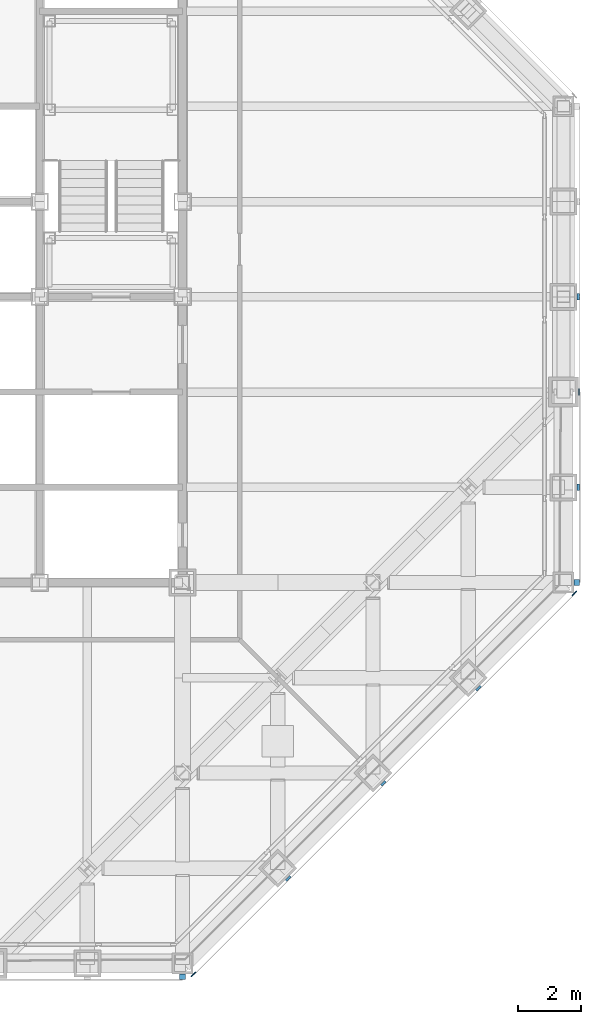
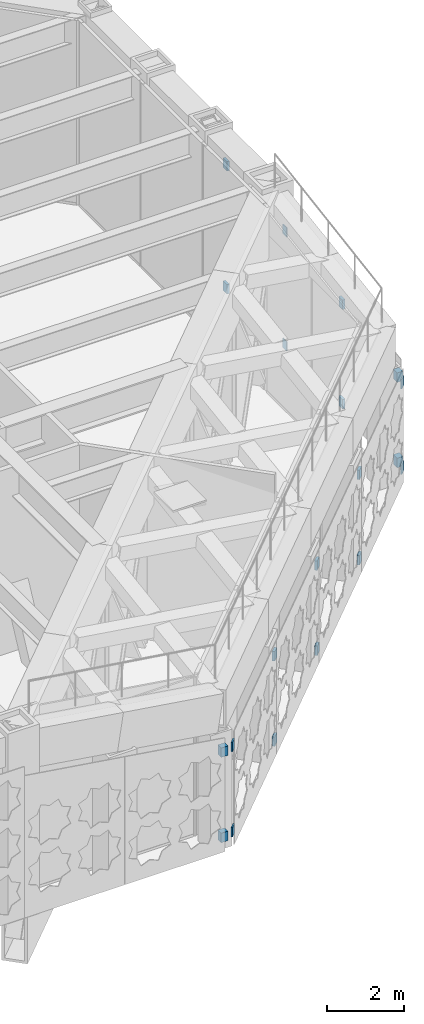
# One storey, part 16 of 29: 20 discrete accessories.
"""IFC4 building model written with IfcOpenShell, lengths in metres."""

import ifcopenshell
import ifcopenshell.guid

model = None  # the IFC model being written
_history = None  # IfcOwnerHistory: only IFC2X3 demands one
_inside = {}  # id of a spatial element -> (the spatial element, [elements in it])
_under = {}  # id of a project, library or spatial element -> (it, [spatial elements below it])
_declared = {}  # id of a project -> (the project, [libraries it declares])
_typed = {}  # id of a type object -> (the type object, [elements of that type])
_made_of = {}  # id of a material, layer set ... -> (it, [elements and type objects made of it])


def new_model(schema):
    """Start an empty IFC model of exactly this schema.

    Asked for "IFC4X3", IfcOpenShell would pick the latest addendum, in which some entities
    have other attributes; the version numbers below select the first issue.
    IFC2X3 requires an IfcOwnerHistory on every rooted entity: one is made here for all.
    """
    global model, _history
    if schema == "IFC4X3":
        model = ifcopenshell.file(schema_version=(4, 3, 0, 0))
    else:
        model = ifcopenshell.file(schema=schema)
    _inside.clear()
    _under.clear()
    _declared.clear()
    _typed.clear()
    _made_of.clear()
    _history = None
    if model.schema == "IFC2X3":
        org = make("IfcOrganization", Name="unknown")
        user = make(
            "IfcPersonAndOrganization",
            ThePerson=make("IfcPerson", FamilyName="unknown"),
            TheOrganization=org,
        )
        app = make(
            "IfcApplication",
            ApplicationDeveloper=org,
            Version="unknown",
            ApplicationFullName="unknown",
            ApplicationIdentifier="unknown",
        )
        _history = make(
            "IfcOwnerHistory",
            OwningUser=user,
            OwningApplication=app,
            ChangeAction="ADDED",
            CreationDate=0,
        )
    return model


def make(cls, **values):
    """One entity of the class cls with the attributes given. An attribute that is None is left unset."""
    return model.create_entity(
        cls, **{name: value for name, value in values.items() if value is not None}
    )


def rooted(cls, **values):
    """An entity with a GlobalId (a new one), such as an element, a storey or a relation."""
    return make(cls, GlobalId=ifcopenshell.guid.new(), OwnerHistory=_history, **values)


def si_unit(unit_type, name, prefix=None):
    """IfcSIUnit, for example si_unit("LENGTHUNIT", "METRE", prefix="MILLI")."""
    return make("IfcSIUnit", UnitType=unit_type, Prefix=prefix, Name=name)


def assignment(units):
    """IfcUnitAssignment: the units of a project."""
    return None if units is None else make("IfcUnitAssignment", Units=units)


def point(xyz):
    """IfcCartesianPoint."""
    return None if xyz is None else make("IfcCartesianPoint", Coordinates=xyz)


def direction(xyz):
    """IfcDirection."""
    return None if xyz is None else make("IfcDirection", DirectionRatios=xyz)


def frame(location, z_axis=None, x_axis=None):
    """IfcAxis2Placement3D, a coordinate frame: its origin and axes. An axis left out is left unset."""
    return make(
        "IfcAxis2Placement3D",
        Location=point(location),
        Axis=direction(z_axis),
        RefDirection=direction(x_axis),
    )


def frame_2d(location, x_axis=None):
    """IfcAxis2Placement2D, a coordinate frame in the plane: its origin and x axis."""
    return make(
        "IfcAxis2Placement2D", Location=point(location), RefDirection=direction(x_axis)
    )


def origin():
    """The frame at (0, 0, 0) with its axes left unset."""
    return frame((0.0, 0.0, 0.0))


def origin_2d():
    """The frame at (0, 0) in the plane with its x axis left unset."""
    return frame_2d((0.0, 0.0))


def place(relative_to, where):
    """IfcLocalPlacement: puts the frame where relative to a parent placement (None: the world)."""
    return make(
        "IfcLocalPlacement", PlacementRelTo=relative_to, RelativePlacement=where
    )


def context(
    kind, dimensions, precision=None, world=None, true_north=None, identifier=None
):
    """IfcGeometricRepresentationContext, for example the 3D "Model" context."""
    return make(
        "IfcGeometricRepresentationContext",
        ContextIdentifier=identifier,
        ContextType=kind,
        CoordinateSpaceDimension=dimensions,
        Precision=precision,
        WorldCoordinateSystem=world,
        TrueNorth=true_north,
    )


def subcontext(parent, identifier, kind, view, scale=None):
    """IfcGeometricRepresentationSubContext, for example "Body" below "Model"."""
    return make(
        "IfcGeometricRepresentationSubContext",
        ContextIdentifier=identifier,
        ContextType=kind,
        ParentContext=parent,
        TargetScale=scale,
        TargetView=view,
    )


def project(units=None, contexts=None):
    """IfcProject with its units and contexts."""
    return rooted(
        "IfcProject",
        Name="project",
        RepresentationContexts=contexts,
        UnitsInContext=assignment(units),
    )


def spatial(cls, under=None, at=None, **own):
    """A site, building, storey or space (cls), placed at a placement, below another one or the project."""
    s = rooted(cls, ObjectPlacement=at, **own)
    if under is not None:
        _under.setdefault(under.id(), (under, []))[1].append(s)
    return s


def profile(cls, at=None, kind="AREA", **sizes):
    """A parametric profile (cls). Its sizes go by their IFC names, for example OverallWidth=200.0."""
    return make(cls, ProfileType=kind, Position=at, **sizes)


def rectangle(**sizes):
    """IfcRectangleProfileDef."""
    return profile("IfcRectangleProfileDef", **sizes)


def extrude(swept, where, along, depth):
    """IfcExtrudedAreaSolid: the profile swept, set in the frame where, extruded along a direction by depth."""
    return make(
        "IfcExtrudedAreaSolid",
        SweptArea=swept,
        Position=where,
        ExtrudedDirection=direction(along),
        Depth=depth,
    )


def shape(context_of_items, identifier, shape_type, items):
    """IfcShapeRepresentation: the items that make up one representation, for example the "Body"."""
    return make(
        "IfcShapeRepresentation",
        ContextOfItems=context_of_items,
        RepresentationIdentifier=identifier,
        RepresentationType=shape_type,
        Items=items,
    )


def material(Name=None, Category=None):
    """IfcMaterial."""
    return make("IfcMaterial", Name=Name, Category=Category)


def made_of(thing, what):
    """Note that an element or type object is made of a material, layer set ...; save() writes the relation."""
    if what is not None:
        _made_of.setdefault(what.id(), (what, []))[1].append(thing)
    return thing


def type_object(cls, material=None, **own):
    """A type object (cls), such as IfcWallType, which elements share."""
    return made_of(rooted(cls, **own), material)


def element(
    cls,
    number,
    at=None,
    inside=None,
    cuts=None,
    type_object=None,
    material=None,
    context=None,
    identifier="Body",
    shape_type=None,
    held_by="IfcProductDefinitionShape",
    body=None,
    shapes=None,
    **own,
):
    """One element of the class cls, such as IfcWall. Its Tag is "e" and its number.

    at: its placement. inside: the storey or other place that contains it. cuts: it is an
    opening in that element (IfcRelVoidsElement). A single representation is given by context,
    identifier, shape_type and body (its items); several are given by shapes. held_by: the class
    of the entity that holds the representations. save() writes the other relations.
    """
    e = rooted(cls, Tag="e%d" % number, ObjectPlacement=at, **own)
    if body is not None:
        shapes = [shape(context, identifier, shape_type, body)]
    if shapes is not None:
        e.Representation = make(held_by, Representations=shapes)
    if inside is not None:
        _inside.setdefault(inside.id(), (inside, []))[1].append(e)
    if cuts is not None:
        rooted(
            "IfcRelVoidsElement", RelatingBuildingElement=cuts, RelatedOpeningElement=e
        )
    if type_object is not None:
        _typed.setdefault(type_object.id(), (type_object, []))[1].append(e)
    return made_of(e, material)


def aggregate(whole, parts):
    """IfcRelAggregates: a whole, such as a stair, and the parts it consists of."""
    return rooted("IfcRelAggregates", RelatingObject=whole, RelatedObjects=parts)


def save(model, path):
    """Write the relations noted so far, then the file.

    IfcRelAggregates (storeys below a building ...), IfcRelContainedInSpatialStructure (elements
    in a storey), IfcRelDefinesByType, IfcRelAssociatesMaterial and IfcRelDeclares: one each for
    every whole, place, type object, material and project.
    """
    for whole, parts in _under.values():
        aggregate(whole, parts)
    for where, things in _inside.values():
        rooted(
            "IfcRelContainedInSpatialStructure",
            RelatedElements=things,
            RelatingStructure=where,
        )
    for kind, things in _typed.values():
        rooted("IfcRelDefinesByType", RelatedObjects=things, RelatingType=kind)
    for what, things in _made_of.values():
        rooted("IfcRelAssociatesMaterial", RelatedObjects=things, RelatingMaterial=what)
    for by, libraries in _declared.values():
        rooted("IfcRelDeclares", RelatingContext=by, RelatedDefinitions=libraries)
    model.write(path)


model = new_model("IFC4")

# Units and contexts
model_context = context("Model", 3, precision=1e-05, world=origin(), true_north=direction((0.0, 1.0)))
body_context = subcontext(model_context, "Body", "Model", "MODEL_VIEW")
ifc_project = project(units=[si_unit("LENGTHUNIT", "METRE"), si_unit("AREAUNIT", "SQUARE_METRE"), si_unit("VOLUMEUNIT", "CUBIC_METRE"), si_unit("PLANEANGLEUNIT", "RADIAN"), si_unit("MASSUNIT", "GRAM", prefix="KILO")], contexts=[model_context])

# Site, building, storey
site_placement = place(None, origin())
site = spatial("IfcSite", under=ifc_project, at=site_placement, CompositionType="ELEMENT")
building_placement = place(site_placement, origin())
building = spatial("IfcBuilding", under=site, at=building_placement, Name="Chuquiago Exchange Tower", CompositionType="ELEMENT")
storey_placement = place(building_placement, frame((0.0, 0.0, 251.699951171875)))
storey = spatial("IfcBuildingStorey", under=building, at=storey_placement, Name="L56", CompositionType="ELEMENT", Elevation=251.699951171875)

# Discrete accessories
ifc_material_1 = material(Name="Stainless steel plate bracket", Category="steel")
discrete_accessory_type_1 = type_object("IfcDiscreteAccessoryType", Name="GB3 cladding bracket 175", PredefinedType="BRACKET", material=ifc_material_1)
for number, where, z_axis, x_axis, name in (
    (1, (33.0, -0.41259765625, 0.35009765625), (0.0, 0.0, 1.0), (1.0, 0.0, 0.0), "Cladding bracket L56 S"),
    (2, (33.0, -0.41259765625, 3.048828125), (0.0, 0.0, 1.0), (1.0, 0.0, 0.0), "Cladding bracket L56 S"),
    (3, (45.41259765625, 12.0, 0.35009765625), (0.0, 0.0, 1.0), (0.0, 1.0, 0.0), "Cladding bracket L56 E"),
    (4, (45.41259765625, 12.0, 3.048828125), (0.0, 0.0, 1.0), (0.0, 1.0, 0.0), "Cladding bracket L56 E"),
):
    element("IfcDiscreteAccessory", number, at=place(storey_placement, frame(where, z_axis=z_axis, x_axis=x_axis)), inside=storey, type_object=discrete_accessory_type_1, Name=name, PredefinedType="BRACKET", context=body_context, shape_type="SweptSolid", body=[
        extrude(rectangle(XDim=0.199951171875, YDim=0.175048828125, at=origin_2d()), origin(), (0.0, 0.0, 1.0), 0.300048828125),
    ])
ifc_material_2 = material(Name="Stainless steel plate bracket", Category="steel")
discrete_accessory_type_2 = type_object("IfcDiscreteAccessoryType", Name="GB4 cladding bracket 75", PredefinedType="BRACKET", material=ifc_material_2)
for number, where, z_axis, x_axis, name in (
    (5, (36.326904296875, 2.6728515625, 0.35009765625), (0.0, 0.0, 1.0), (0.707106781187, 0.707106781187, 0.0), "Cladding bracket L56 SE"),
    (6, (36.326904296875, 2.6728515625, 3.04833984375), (0.0, 0.0, 1.0), (0.707106781187, 0.707106781187, 0.0), "Cladding bracket L56 SE"),
    (7, (39.3271484375, 5.673095703125, 0.35009765625), (0.0, 0.0, 1.0), (0.707106781187, 0.707106781187, 0.0), "Cladding bracket L56 SE"),
    (8, (39.3271484375, 5.673095703125, 3.04833984375), (0.0, 0.0, 1.0), (0.707106781187, 0.707106781187, 0.0), "Cladding bracket L56 SE"),
    (9, (42.326904296875, 8.6728515625, 0.35009765625), (0.0, 0.0, 1.0), (0.707106781187, 0.707106781187, 0.0), "Cladding bracket L56 SE"),
    (10, (42.326904296875, 8.6728515625, 3.04833984375), (0.0, 0.0, 1.0), (0.707106781187, 0.707106781187, 0.0), "Cladding bracket L56 SE"),
    (11, (45.46240234375, 15.0, 0.35009765625), (0.0, 0.0, 1.0), (0.0, 1.0, 0.0), "Cladding bracket L56 E"),
    (12, (45.46240234375, 15.0, 3.49853515625), (0.0, 0.0, 1.0), (0.0, 1.0, 0.0), "Cladding bracket L56 E"),
    (13, (45.46240234375, 21.0, 0.35009765625), (0.0, 0.0, 1.0), (0.0, 1.0, 0.0), "Cladding bracket L56 E"),
    (14, (45.46240234375, 21.0, 4.240234375), (0.0, 0.0, 1.0), (0.0, 1.0, 0.0), "Cladding bracket L56 E"),
):
    element("IfcDiscreteAccessory", number, at=place(storey_placement, frame(where, z_axis=z_axis, x_axis=x_axis)), inside=storey, type_object=discrete_accessory_type_2, Name=name, PredefinedType="BRACKET", context=body_context, shape_type="SweptSolid", body=[
        extrude(rectangle(XDim=0.199951171875, YDim=0.074951171875, at=origin_2d()), origin(), (0.0, 0.0, 1.0), 0.300048828125),
    ])
ifc_material_3 = material(Name="Stainless steel plate bracket", Category="steel")
discrete_accessory_type_3 = type_object("IfcDiscreteAccessoryType", Name="GB5 cladding bracket 40", PredefinedType="BRACKET", material=ifc_material_3)
for number, where, z_axis, x_axis, name in (
    (15, (33.33935546875, -0.33935546875, 0.35009765625), (0.0, 0.0, 1.0), (0.707106781187, 0.707106781187, 0.0), "Cladding bracket L56 SE"),
    (16, (33.33935546875, -0.33935546875, 3.04833984375), (0.0, 0.0, 1.0), (0.707106781187, 0.707106781187, 0.0), "Cladding bracket L56 SE"),
    (17, (45.33935546875, 11.660888671875, 0.35009765625), (0.0, 0.0, 1.0), (0.707106781187, 0.707106781187, 0.0), "Cladding bracket L56 SE"),
    (18, (45.33935546875, 11.660888671875, 3.04833984375), (0.0, 0.0, 1.0), (0.707106781187, 0.707106781187, 0.0), "Cladding bracket L56 SE"),
):
    element("IfcDiscreteAccessory", number, at=place(storey_placement, frame(where, z_axis=z_axis, x_axis=x_axis)), inside=storey, type_object=discrete_accessory_type_3, Name=name, PredefinedType="BRACKET", context=body_context, shape_type="SweptSolid", body=[
        extrude(rectangle(XDim=0.199951171875, YDim=0.040283203125, at=origin_2d()), origin(), (0.0, 0.0, 1.0), 0.300048828125),
    ])
ifc_material_4 = material(Name="Stainless steel plate bracket", Category="steel")
discrete_accessory_type_4 = type_object("IfcDiscreteAccessoryType", Name="GB7 cladding bracket 25", PredefinedType="BRACKET", material=ifc_material_4)
for number, where, z_axis, x_axis, name in (
    (19, (45.487548828125, 18.0, 0.35009765625), (0.0, 0.0, 1.0), (0.0, 1.0, 0.0), "Cladding bracket L56 E"),
    (20, (45.487548828125, 18.0, 3.94921875), (0.0, 0.0, 1.0), (0.0, 1.0, 0.0), "Cladding bracket L56 E"),
):
    element("IfcDiscreteAccessory", number, at=place(storey_placement, frame(where, z_axis=z_axis, x_axis=x_axis)), inside=storey, type_object=discrete_accessory_type_4, Name=name, PredefinedType="BRACKET", context=body_context, shape_type="SweptSolid", body=[
        extrude(rectangle(XDim=0.199951171875, YDim=0.02490234375, at=origin_2d()), origin(), (0.0, 0.0, 1.0), 0.300048828125),
    ])

save(model, "model.ifc")
